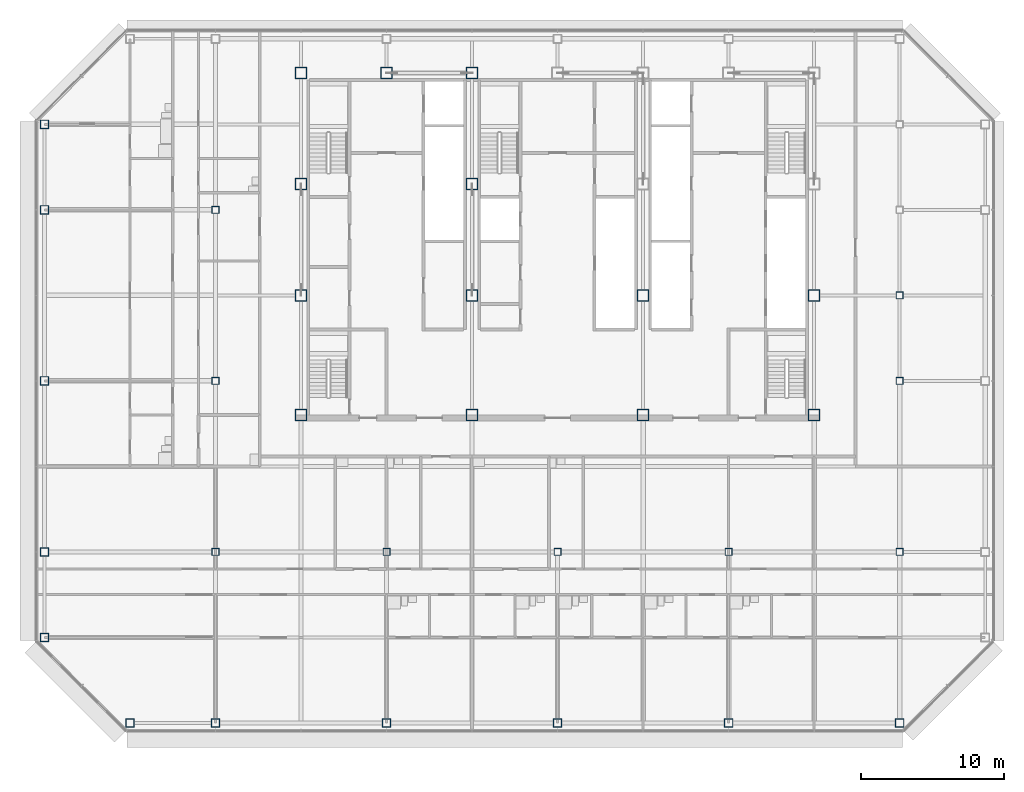
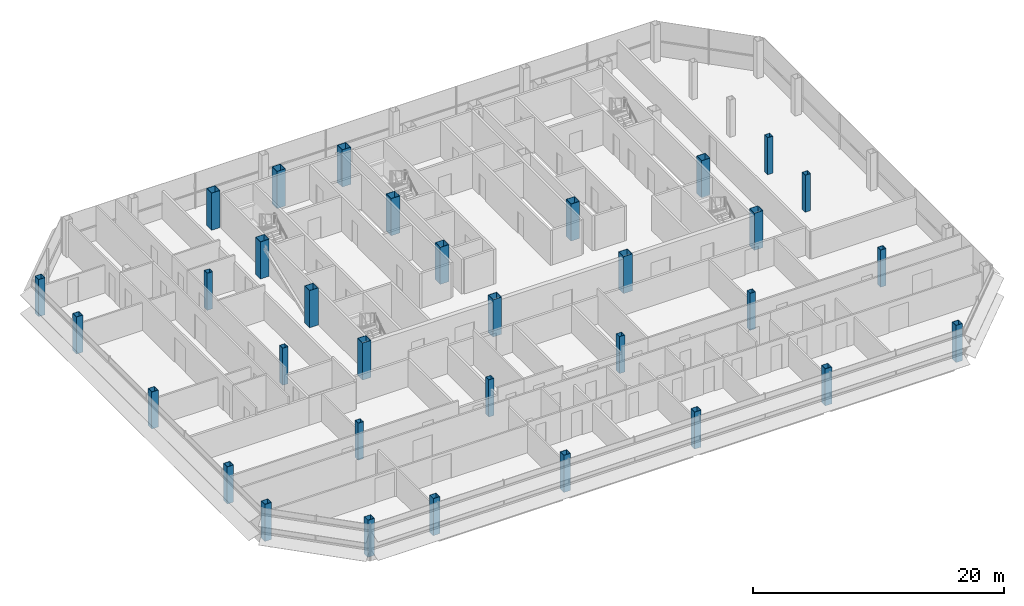
# One storey, part 1 of 28: 33 columns.
"""IFC4 building model written with IfcOpenShell, lengths in metres."""

from ifc_helpers import new_model, si_unit, direction, frame, origin, origin_2d, place, context, subcontext, project, spatial, hollow_rectangle, extrude, material, material_profile, profile_set, type_object, element, save


model = new_model("IFC4")

# Units and contexts
model_context = context("Model", 3, precision=1e-05, world=origin(), true_north=direction((0.0, 1.0)))
body_context = subcontext(model_context, "Body", "Model", "MODEL_VIEW")
ifc_project = project(units=[si_unit("LENGTHUNIT", "METRE"), si_unit("AREAUNIT", "SQUARE_METRE"), si_unit("VOLUMEUNIT", "CUBIC_METRE"), si_unit("PLANEANGLEUNIT", "RADIAN"), si_unit("MASSUNIT", "GRAM", prefix="KILO")], contexts=[model_context])

# Site, building, storey
site_placement = place(None, origin())
site = spatial("IfcSite", under=ifc_project, at=site_placement, CompositionType="ELEMENT")
building_placement = place(site_placement, origin())
building = spatial("IfcBuilding", under=site, at=building_placement, Name="Sorahane Residences", CompositionType="ELEMENT")
storey_placement = place(building_placement, frame((0.0, 0.0, 254.0)))
storey = spatial("IfcBuildingStorey", under=building, at=storey_placement, Name="L60", CompositionType="ELEMENT", Elevation=254.0)

# Columns
ifc_material_1 = material(Name="Steel Q355B", Category="steel")
ifc_material_profile_1 = material_profile(ifc_material_1, hollow_rectangle(XDim=0.5, YDim=0.5, WallThickness=0.02490234375, at=origin_2d()), Name="BOX 500x500x25")
ifc_profile_set_1 = profile_set([ifc_material_profile_1], Name="Steel Q355B")
column_type_1 = type_object("IfcColumnType", Name="Steel box column BOX 500x500x25 Q355B", PredefinedType="COLUMN", material=ifc_profile_set_1)
for number, where, z_axis, x_axis, name in (
    (1, (0.0, 12.0, 0.0), (0.0, 0.0, 1.0), (1.0, 0.0, 0.0), "Column L60 0/12"),
    (2, (0.0, 24.0, 0.0), (0.0, 0.0, 1.0), (1.0, 0.0, 0.0), "Column L60 0/24"),
    (3, (0.0, 36.0, 0.0), (0.0, 0.0, 1.0), (1.0, 0.0, 0.0), "Column L60 0/36"),
    (4, (12.0, 12.0, 0.0), (0.0, 0.0, 1.0), (1.0, 0.0, 0.0), "Column L60 12/12"),
    (5, (24.0, 12.0, 0.0), (0.0, 0.0, 1.0), (1.0, 0.0, 0.0), "Column L60 24/12"),
    (6, (36.0, 12.0, 0.0), (0.0, 0.0, 1.0), (1.0, 0.0, 0.0), "Column L60 36/12"),
    (7, (48.0, 12.0, 0.0), (0.0, 0.0, 1.0), (1.0, 0.0, 0.0), "Column L60 48/12"),
    (8, (48.0, 24.0, 0.0), (0.0, 0.0, 1.0), (1.0, 0.0, 0.0), "Column L60 48/24"),
    (9, (48.0, 30.0, 0.0), (0.0, 0.0, 1.0), (1.0, 0.0, 0.0), "Column L60 48/30"),
):
    element("IfcColumn", number, at=place(storey_placement, frame(where, z_axis=z_axis, x_axis=x_axis)), inside=storey, type_object=column_type_1, Name=name, PredefinedType="COLUMN", context=body_context, shape_type="SweptSolid", body=[
        extrude(hollow_rectangle(XDim=0.5, YDim=0.5, WallThickness=0.02490234375, at=origin_2d()), origin(), (0.0, 0.0, 1.0), 3.60009765625),
    ])
ifc_material_2 = material(Name="Steel Q355B", Category="steel")
ifc_material_profile_2 = material_profile(ifc_material_2, hollow_rectangle(XDim=0.60009765625, YDim=0.60009765625, WallThickness=0.028076171875, at=origin_2d()), Name="BOX 600x600x28")
ifc_profile_set_2 = profile_set([ifc_material_profile_2], Name="Steel Q355B")
column_type_2 = type_object("IfcColumnType", Name="Steel box column BOX 600x600x28 Q355B", PredefinedType="COLUMN", material=ifc_profile_set_2)
for number, where, z_axis, x_axis, name in (
    (10, (-12.0, 6.0, 0.0), (0.0, 0.0, 1.0), (1.0, 0.0, 0.0), "Column L60 m12/6"),
    (11, (-12.0, 12.0, 0.0), (0.0, 0.0, 1.0), (1.0, 0.0, 0.0), "Column L60 m12/12"),
    (12, (-12.0, 24.0, 0.0), (0.0, 0.0, 1.0), (1.0, 0.0, 0.0), "Column L60 m12/24"),
    (13, (-12.0, 36.0, 0.0), (0.0, 0.0, 1.0), (1.0, 0.0, 0.0), "Column L60 m12/36"),
    (14, (-12.0, 42.0, 0.0), (0.0, 0.0, 1.0), (1.0, 0.0, 0.0), "Column L60 m12/42"),
    (15, (-6.0, 0.0, 0.0), (0.0, 0.0, 1.0), (1.0, 0.0, 0.0), "Column L60 m6/0"),
    (16, (0.0, 0.0, 0.0), (0.0, 0.0, 1.0), (1.0, 0.0, 0.0), "Column L60 0/0"),
    (17, (12.0, 0.0, 0.0), (0.0, 0.0, 1.0), (1.0, 0.0, 0.0), "Column L60 12/0"),
    (18, (24.0, 0.0, 0.0), (0.0, 0.0, 1.0), (1.0, 0.0, 0.0), "Column L60 24/0"),
    (19, (36.0, 0.0, 0.0), (0.0, 0.0, 1.0), (1.0, 0.0, 0.0), "Column L60 36/0"),
    (20, (48.0, 0.0, 0.0), (0.0, 0.0, 1.0), (1.0, 0.0, 0.0), "Column L60 48/0"),
):
    element("IfcColumn", number, at=place(storey_placement, frame(where, z_axis=z_axis, x_axis=x_axis)), inside=storey, type_object=column_type_2, Name=name, PredefinedType="COLUMN", context=body_context, shape_type="SweptSolid", body=[
        extrude(hollow_rectangle(XDim=0.60009765625, YDim=0.60009765625, WallThickness=0.028076171875, at=origin_2d()), origin(), (0.0, 0.0, 1.0), 3.60009765625),
    ])
ifc_material_3 = material(Name="Steel Q355B", Category="steel")
ifc_material_profile_3 = material_profile(ifc_material_3, hollow_rectangle(XDim=0.800048828125, YDim=0.800048828125, WallThickness=0.031982421875, at=origin_2d()), Name="BOX 800x800x32")
ifc_profile_set_3 = profile_set([ifc_material_profile_3], Name="Steel Q355B")
column_type_3 = type_object("IfcColumnType", Name="Steel box column BOX 800x800x32 Q355B", PredefinedType="COLUMN", material=ifc_profile_set_3)
for number, where, z_axis, x_axis, name in (
    (21, (6.0, 21.60009765625, 0.0), (0.0, 0.0, 1.0), (1.0, 0.0, 0.0), "Column L60 6/21.6"),
    (22, (6.0, 30.0, 0.0), (0.0, 0.0, 1.0), (1.0, 0.0, 0.0), "Column L60 6/30"),
    (23, (6.0, 37.800048828125, 0.0), (0.0, 0.0, 1.0), (1.0, 0.0, 0.0), "Column L60 6/37.8"),
    (24, (6.0, 45.60009765625, 0.0), (0.0, 0.0, 1.0), (1.0, 0.0, 0.0), "Column L60 6/45.6"),
    (25, (12.0, 45.60009765625, 0.0), (0.0, 0.0, 1.0), (1.0, 0.0, 0.0), "Column L60 12/45.6"),
    (26, (18.0, 21.60009765625, 0.0), (0.0, 0.0, 1.0), (1.0, 0.0, 0.0), "Column L60 18/21.6"),
    (27, (18.0, 30.0, 0.0), (0.0, 0.0, 1.0), (1.0, 0.0, 0.0), "Column L60 18/30"),
    (28, (18.0, 37.800048828125, 0.0), (0.0, 0.0, 1.0), (1.0, 0.0, 0.0), "Column L60 18/37.8"),
    (29, (18.0, 45.60009765625, 0.0), (0.0, 0.0, 1.0), (1.0, 0.0, 0.0), "Column L60 18/45.6"),
    (30, (30.0, 21.60009765625, 0.0), (0.0, 0.0, 1.0), (1.0, 0.0, 0.0), "Column L60 30/21.6"),
    (31, (30.0, 30.0, 0.0), (0.0, 0.0, 1.0), (1.0, 0.0, 0.0), "Column L60 30/30"),
    (32, (42.0, 21.60009765625, 0.0), (0.0, 0.0, 1.0), (1.0, 0.0, 0.0), "Column L60 42/21.6"),
    (33, (42.0, 30.0, 0.0), (0.0, 0.0, 1.0), (1.0, 0.0, 0.0), "Column L60 42/30"),
):
    element("IfcColumn", number, at=place(storey_placement, frame(where, z_axis=z_axis, x_axis=x_axis)), inside=storey, type_object=column_type_3, Name=name, PredefinedType="COLUMN", context=body_context, shape_type="SweptSolid", body=[
        extrude(hollow_rectangle(XDim=0.800048828125, YDim=0.800048828125, WallThickness=0.031982421875, at=origin_2d()), origin(), (0.0, 0.0, 1.0), 3.60009765625),
    ])

save(model, "model.ifc")
